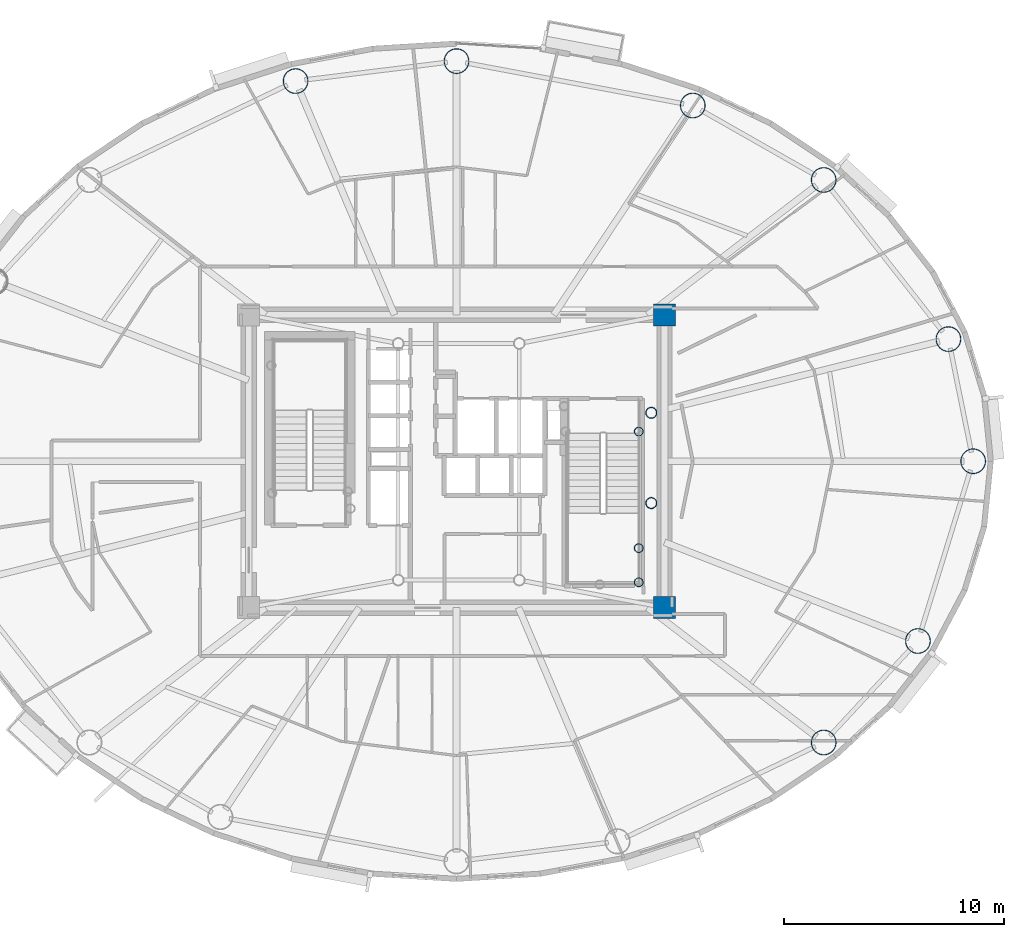
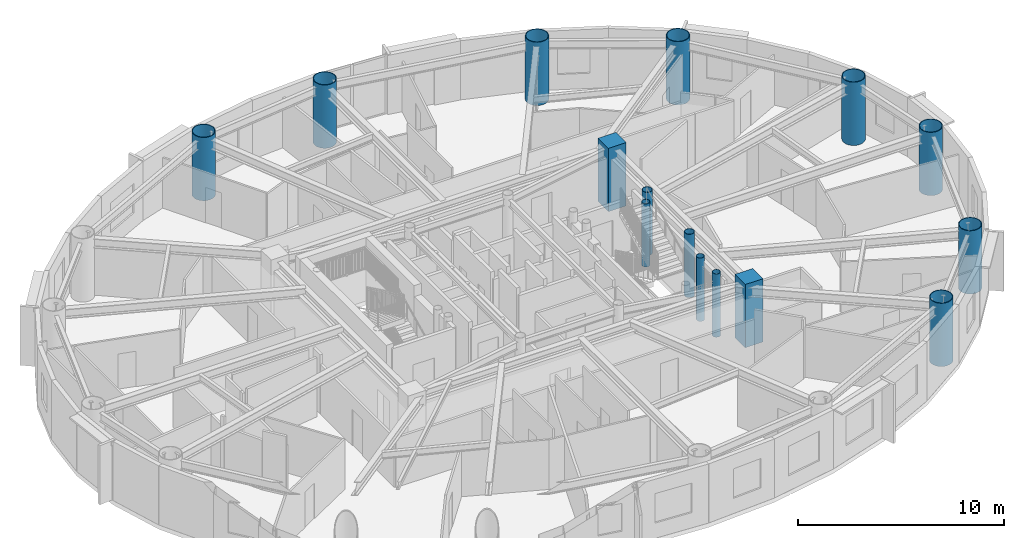
# One storey, part 2 of 18: 15 columns.
"""IFC4 building model written with IfcOpenShell, lengths in metres."""

from ifc_helpers import new_model, si_unit, direction, frame, origin, origin_2d, place, context, subcontext, project, spatial, rectangle, hollow_circle, extrude, material, material_profile, profile_set, type_object, element, save


model = new_model("IFC4")

# Units and contexts
model_context = context("Model", 3, precision=1e-05, world=origin(), true_north=direction((0.0, 1.0)))
body_context = subcontext(model_context, "Body", "Model", "MODEL_VIEW")
ifc_project = project(units=[si_unit("LENGTHUNIT", "METRE"), si_unit("AREAUNIT", "SQUARE_METRE"), si_unit("VOLUMEUNIT", "CUBIC_METRE"), si_unit("PLANEANGLEUNIT", "RADIAN"), si_unit("MASSUNIT", "GRAM", prefix="KILO")], contexts=[model_context])

# Site, building, storey
site_placement = place(None, origin())
site = spatial("IfcSite", under=ifc_project, at=site_placement, CompositionType="ELEMENT")
building_placement = place(site_placement, origin())
building = spatial("IfcBuilding", under=site, at=building_placement, Name="Linh Dai School and Residence Tower", CompositionType="ELEMENT")
storey_placement = place(building_placement, frame((0.0, 0.0, 240.300048828125)))
storey = spatial("IfcBuildingStorey", under=building, at=storey_placement, Name="L59", CompositionType="ELEMENT", Elevation=240.300048828125)

# Columns
ifc_material_1 = material(Name="Concrete B45 (C35/45)", Category="concrete")
ifc_material_profile_1 = material_profile(ifc_material_1, rectangle(XDim=1.0, YDim=1.0, at=origin_2d()), Name="RC 1000x1000")
ifc_profile_set_1 = profile_set([ifc_material_profile_1], Name="Concrete B45 (C35/45)")
column_type_1 = type_object("IfcColumnType", Name="COL-CC3", PredefinedType="COLUMN", material=ifc_profile_set_1)
for number, where, z_axis, x_axis, name in (
    (1, (45.449951171875, 20.35009765625, 0.0), (0.0, 0.0, 1.0), (1.0, 0.0, 0.0), "L59 Core Corner Pier CC2"),
    (2, (45.449951171875, 33.64990234375, 0.0), (0.0, 0.0, 1.0), (1.0, 0.0, 0.0), "L59 Core Corner Pier CC3"),
):
    element("IfcColumn", number, at=place(storey_placement, frame(where, z_axis=z_axis, x_axis=x_axis)), inside=storey, type_object=column_type_1, Name=name, PredefinedType="COLUMN", context=body_context, shape_type="SweptSolid", body=[
        extrude(rectangle(XDim=1.0, YDim=1.0, at=origin_2d()), origin(), (0.0, 0.0, 1.0), 3.75),
    ])
ifc_material_2 = material(Name="Structural Steel S355JR", Category="steel")
ifc_material_profile_2 = material_profile(ifc_material_2, hollow_circle(Radius=0.203125, WallThickness=0.01611328125, at=origin_2d()), Name="CHS 406.4x16")
ifc_profile_set_2 = profile_set([ifc_material_profile_2], Name="Structural Steel S355JR")
column_type_2 = type_object("IfcColumnType", Name="COL-EC", PredefinedType="COLUMN", material=ifc_profile_set_2)
for number, where, z_axis, x_axis, name in (
    (3, (44.280029296875, 21.5, 0.0), (0.0, 0.0, 1.0), (1.0, 0.0, 0.0), "L59 Stair Shaft Landing Support Pier ST2SE"),
    (4, (44.280029296875, 23.050048828125, 0.0), (0.0, 0.0, 1.0), (1.0, 0.0, 0.0), "L59 Stair Shaft Landing Support Pier ST2NE"),
    (5, (44.280029296875, 28.35009765625, 0.0), (0.0, 0.0, 1.0), (1.0, 0.0, 0.0), "L59 Stair Shaft Landing Support Pier ST2N2"),
):
    element("IfcColumn", number, at=place(storey_placement, frame(where, z_axis=z_axis, x_axis=x_axis)), inside=storey, type_object=column_type_2, Name=name, PredefinedType="COLUMN", context=body_context, shape_type="SweptSolid", body=[
        extrude(hollow_circle(Radius=0.203125, WallThickness=0.01611328125, at=origin_2d()), origin(), (0.0, 0.0, 1.0), 3.75),
    ])
ifc_material_profile_3 = material_profile(ifc_material_2, hollow_circle(Radius=0.574951171875, WallThickness=0.035888671875, at=origin_2d()), Name="CHS 1150x36")
ifc_profile_set_3 = profile_set([ifc_material_profile_3], Name="Structural Steel S355JR")
column_type_3 = type_object("IfcColumnType", Name="COL-MC5", PredefinedType="COLUMN", material=ifc_profile_set_3)
for number, where, z_axis, x_axis, name in (
    (6, (59.47509765625, 27.0, 0.0), (0.0, 0.0, 1.0), (1.0, 0.0, 0.0), "L59 Perimeter CFT Mega-Column MC01"),
    (7, (58.351318359375, 32.54931640625, 0.0), (0.0, 0.0, 1.0), (1.0, 0.0, 0.0), "L59 Perimeter CFT Mega-Column MC02"),
    (8, (52.68310546875, 39.781005859375, 0.0), (0.0, 0.0, 1.0), (1.0, 0.0, 0.0), "L59 Perimeter CFT Mega-Column MC03"),
    (9, (46.734619140625, 43.16357421875, 0.0), (0.0, 0.0, 1.0), (1.0, 0.0, 0.0), "L59 Perimeter CFT Mega-Column MC04"),
    (10, (36.0, 45.179931640625, 0.0), (0.0, 0.0, 1.0), (1.0, 0.0, 0.0), "L59 Perimeter CFT Mega-Column MC05"),
    (11, (28.68798828125, 44.2734375, 0.0), (0.0, 0.0, 1.0), (1.0, 0.0, 0.0), "L59 Perimeter CFT Mega-Column MC06"),
    (12, (52.68310546875, 14.218994140625, 0.0), (0.0, 0.0, 1.0), (1.0, 0.0, 0.0), "L59 Perimeter CFT Mega-Column MC15"),
    (13, (56.96533203125, 18.8310546875, 0.0), (0.0, 0.0, 1.0), (1.0, 0.0, 0.0), "L59 Perimeter CFT Mega-Column MC16"),
):
    element("IfcColumn", number, at=place(storey_placement, frame(where, z_axis=z_axis, x_axis=x_axis)), inside=storey, type_object=column_type_3, Name=name, PredefinedType="COLUMN", context=body_context, shape_type="SweptSolid", body=[
        extrude(hollow_circle(Radius=0.574951171875, WallThickness=0.035888671875, at=origin_2d()), origin(), (0.0, 0.0, 1.0), 3.75),
    ])
ifc_material_profile_4 = material_profile(ifc_material_2, hollow_circle(Radius=0.25390625, WallThickness=0.02001953125, at=origin_2d()), Name="CHS 508x20")
ifc_profile_set_4 = profile_set([ifc_material_profile_4], Name="Structural Steel S355JR")
column_type_4 = type_object("IfcColumnType", Name="COL-MCP", PredefinedType="COLUMN", material=ifc_profile_set_4)
for number, where, z_axis, x_axis, name in (
    (14, (44.85009765625, 25.10009765625, 0.0), (0.0, 0.0, 1.0), (1.0, 0.0, 0.0), "L59 Sky-Lounge Core Anchor Pier S"),
    (15, (44.85009765625, 29.199951171875, 0.0), (0.0, 0.0, 1.0), (1.0, 0.0, 0.0), "L59 Sky-Lounge Core Anchor Pier N"),
):
    element("IfcColumn", number, at=place(storey_placement, frame(where, z_axis=z_axis, x_axis=x_axis)), inside=storey, type_object=column_type_4, Name=name, PredefinedType="COLUMN", context=body_context, shape_type="SweptSolid", body=[
        extrude(hollow_circle(Radius=0.25390625, WallThickness=0.02001953125, at=origin_2d()), origin(), (0.0, 0.0, 1.0), 3.75),
    ])

save(model, "model.ifc")
